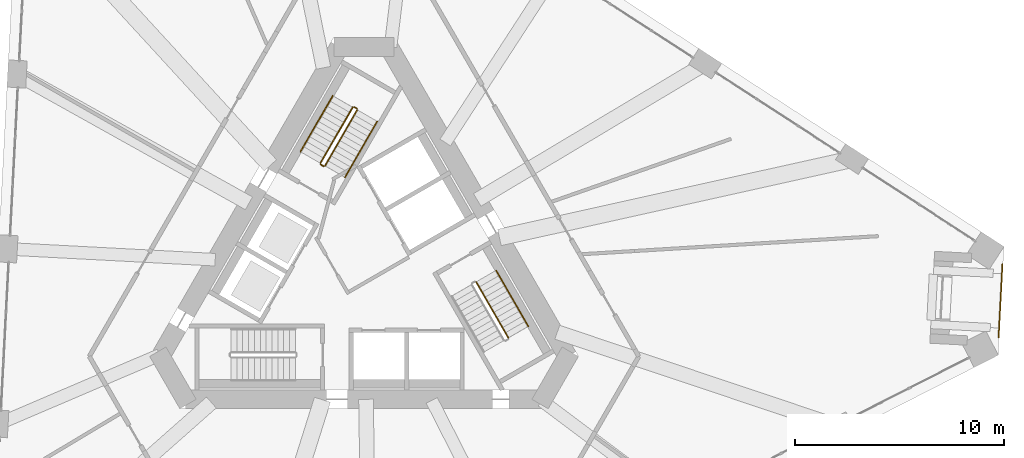
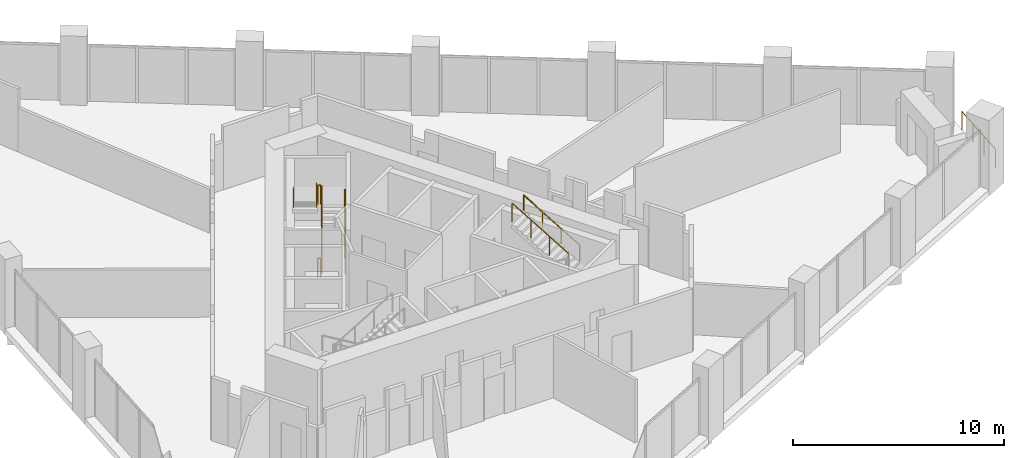
# One storey, part 16 of 18: 9 railings.
"""IFC4 building model written with IfcOpenShell, lengths in metres."""

from ifc_helpers import new_model, si_unit, direction, frame, origin, origin_2d, place, context, subcontext, project, spatial, circle, extrude, material, type_object, element, save


model = new_model("IFC4")

# Units and contexts
model_context = context("Model", 3, precision=1e-05, world=origin(), true_north=direction((0.0, 1.0)))
body_context = subcontext(model_context, "Body", "Model", "MODEL_VIEW")
ifc_project = project(units=[si_unit("LENGTHUNIT", "METRE"), si_unit("AREAUNIT", "SQUARE_METRE"), si_unit("VOLUMEUNIT", "CUBIC_METRE"), si_unit("PLANEANGLEUNIT", "RADIAN"), si_unit("MASSUNIT", "GRAM", prefix="KILO")], contexts=[model_context])

# Site, building, storey
site_placement = place(None, origin())
site = spatial("IfcSite", under=ifc_project, at=site_placement, CompositionType="ELEMENT")
building_placement = place(site_placement, origin())
building = spatial("IfcBuilding", under=site, at=building_placement, Name="Tramontana Tower", CompositionType="ELEMENT")
storey_placement = place(building_placement, frame((0.0, 0.0, 125.60009765625)))
storey = spatial("IfcBuildingStorey", under=building, at=storey_placement, Name="L28", CompositionType="ELEMENT", Elevation=125.60009765625)

# Railings
ifc_material_1 = material(Name="Laminated glass balustrade", Category="glass")
railing_type_1 = type_object("IfcRailingType", Name="GD1 Loggia glass balustrade 1100", PredefinedType="BALUSTRADE", material=ifc_material_1)
railing_1_placement = place(storey_placement, frame((30.519775390625, 0.15283203125, 0.0)))
element("IfcRailing", 1, at=railing_1_placement, inside=storey, type_object=railing_type_1, Name="Corner loggia balustrade L28 K32", PredefinedType="BALUSTRADE", context=body_context, shape_type="SweptSolid", body=[
    extrude(circle(Radius=0.02392578125, at=origin_2d()), frame((0.0, 0.0, 1.076171875), z_axis=(-0.052317189757, -0.998630518088, 0.0), x_axis=(0.998630518088, -0.052317189757, 0.0)), (0.0, 0.0, 1.0), 3.5),
    extrude(circle(Radius=0.02099609375, at=origin_2d()), origin(), (0.0, 0.0, 1.0), 1.052001953125),
    extrude(circle(Radius=0.02099609375, at=origin_2d()), frame((-0.06103515625, -1.1650390625, 0.0)), (0.0, 0.0, 1.0), 1.052001953125),
    extrude(circle(Radius=0.02099609375, at=origin_2d()), frame((-0.1220703125, -2.330078125, 0.0)), (0.0, 0.0, 1.0), 1.052001953125),
    extrude(circle(Radius=0.02099609375, at=origin_2d()), frame((-0.18310546875, -3.4951171875, 0.0)), (0.0, 0.0, 1.0), 1.052001953125),
])
ifc_material_2 = material(Name="Painted steel", Category="steel")
railing_type_2 = type_object("IfcRailingType", Name="STAIR GUARD 1100", PredefinedType="GUARDRAIL", material=ifc_material_2)
railing_2_placement = place(storey_placement, frame((-1.867431640625, 4.865478515625, 0.16650390625)))
element("IfcRailing", 2, at=railing_2_placement, inside=storey, type_object=railing_type_2, Name="L28 ST1 stair guard 1", PredefinedType="GUARDRAIL", context=body_context, shape_type="SweptSolid", body=[
    extrude(circle(Radius=0.02392578125, at=origin_2d()), frame((0.0, 0.0, 1.076171875), z_axis=(0.429634447492, 0.7441639146, 0.511502013422), x_axis=(-0.866029832698, 0.499992328818, 0.0)), (0.0, 0.0, 1.0), 3.58447265625),
    extrude(circle(Radius=0.02099609375, at=origin_2d()), origin(), (0.0, 0.0, 1.0), 1.052001953125),
    extrude(circle(Radius=0.02099609375, at=origin_2d()), frame((0.513427734375, 0.88916015625, 0.611083984375)), (0.0, 0.0, 1.0), 1.052001953125),
    extrude(circle(Radius=0.02099609375, at=origin_2d()), frame((1.026611328125, 1.7783203125, 1.222412109375)), (0.0, 0.0, 1.0), 1.052001953125),
    extrude(circle(Radius=0.02099609375, at=origin_2d()), frame((1.5400390625, 2.66748046875, 1.83349609375)), (0.0, 0.0, 1.0), 1.052001953125),
])
railing_3_placement = place(storey_placement, frame((-0.5439453125, 7.657958984375, 2.16650390625)))
element("IfcRailing", 3, at=railing_3_placement, inside=storey, type_object=railing_type_2, Name="L28 ST1 stair guard 2", PredefinedType="GUARDRAIL", context=body_context, shape_type="SweptSolid", body=[
    extrude(circle(Radius=0.02392578125, at=origin_2d()), frame((0.0, 0.0, 1.076171875), z_axis=(-0.429634447492, -0.7441639146, 0.511502013422), x_axis=(0.866029832698, -0.499992328818, 0.0)), (0.0, 0.0, 1.0), 3.58447265625),
    extrude(circle(Radius=0.02099609375, at=origin_2d()), origin(), (0.0, 0.0, 1.0), 1.052001953125),
    extrude(circle(Radius=0.02099609375, at=origin_2d()), frame((-0.513427734375, -0.88916015625, 0.611083984375)), (0.0, 0.0, 1.0), 1.052001953125),
    extrude(circle(Radius=0.02099609375, at=origin_2d()), frame((-1.026611328125, -1.7783203125, 1.222412109375)), (0.0, 0.0, 1.0), 1.052001953125),
    extrude(circle(Radius=0.02099609375, at=origin_2d()), frame((-1.5400390625, -2.66748046875, 1.83349609375)), (0.0, 0.0, 1.0), 1.052001953125),
])
railing_4_placement = place(storey_placement, frame((-0.345703125, 7.601318359375, 2.0)))
element("IfcRailing", 4, at=railing_4_placement, inside=storey, type_object=railing_type_2, Name="L28 ST1 stair guard 3", PredefinedType="GUARDRAIL", context=body_context, shape_type="SweptSolid", body=[
    extrude(circle(Radius=0.02392578125, at=origin_2d()), frame((0.0, 0.0, 1.076171875), z_axis=(-0.866131372301, 0.499816412211, 0.0), x_axis=(-0.499816412211, -0.866131372301, 0.0)), (0.0, 0.0, 1.0), 0.14990234375),
    extrude(circle(Radius=0.02099609375, at=origin_2d()), origin(), (0.0, 0.0, 1.0), 1.052001953125),
    extrude(circle(Radius=0.02099609375, at=origin_2d()), frame((-0.1298828125, 0.074951171875, 0.0)), (0.0, 0.0, 1.0), 1.052001953125),
])
railing_5_placement = place(storey_placement, frame((-1.935791015625, 4.84716796875, 0.0)))
element("IfcRailing", 5, at=railing_5_placement, inside=storey, type_object=railing_type_2, Name="L28 ST1 stair guard 4", PredefinedType="GUARDRAIL", context=body_context, shape_type="SweptSolid", body=[
    extrude(circle(Radius=0.02392578125, at=origin_2d()), frame((0.0, 0.0, 1.076171875), z_axis=(-0.865426285481, 0.501036270542, 0.0), x_axis=(-0.501036270542, -0.865426285481, 0.0)), (0.0, 0.0, 1.0), 0.150146484375),
    extrude(circle(Radius=0.02099609375, at=origin_2d()), origin(), (0.0, 0.0, 1.0), 1.052001953125),
    extrude(circle(Radius=0.02099609375, at=origin_2d()), frame((-0.1298828125, 0.0751953125, 0.0)), (0.0, 0.0, 1.0), 1.052001953125),
])
railing_6_placement = place(storey_placement, frame((6.90380859375, -3.35791015625, 2.16650390625)))
element("IfcRailing", 6, at=railing_6_placement, inside=storey, type_object=railing_type_2, Name="L28 ST3 stair guard 2", PredefinedType="GUARDRAIL", context=body_context, shape_type="SweptSolid", body=[
    extrude(circle(Radius=0.02392578125, at=origin_2d()), frame((0.0, 0.0, 1.076171875), z_axis=(-0.429600682602, 0.744155296881, 0.511542908886), x_axis=(-0.866044340336, -0.499967199496, 0.0)), (0.0, 0.0, 1.0), 3.584228515625),
    extrude(circle(Radius=0.02099609375, at=origin_2d()), origin(), (0.0, 0.0, 1.0), 1.052001953125),
    extrude(circle(Radius=0.02099609375, at=origin_2d()), frame((-0.51318359375, 0.88916015625, 0.611083984375)), (0.0, 0.0, 1.0), 1.052001953125),
    extrude(circle(Radius=0.02099609375, at=origin_2d()), frame((-1.026611328125, 1.778076171875, 1.222412109375)), (0.0, 0.0, 1.0), 1.052001953125),
    extrude(circle(Radius=0.02099609375, at=origin_2d()), frame((-1.539794921875, 2.667236328125, 1.83349609375)), (0.0, 0.0, 1.0), 1.052001953125),
])
ifc_material_3 = material(Name="Painted steel", Category="steel")
railing_type_3 = type_object("IfcRailingType", Name="STAIR HANDRAIL 900", PredefinedType="HANDRAIL", material=ifc_material_3)
railing_7_placement = place(storey_placement, frame((-0.914794921875, 4.315673828125, 0.16650390625)))
element("IfcRailing", 7, at=railing_7_placement, inside=storey, type_object=railing_type_3, Name="L28 ST1 stair handrail 1", PredefinedType="HANDRAIL", context=body_context, shape_type="SweptSolid", body=[
    extrude(circle(Radius=0.02392578125, at=origin_2d()), frame((0.0, 0.0, 0.8759765625), z_axis=(0.429656224001, 0.744133520484, 0.511527939481), x_axis=(-0.866010015463, 0.500026652407, 0.0)), (0.0, 0.0, 1.0), 3.58447265625),
    extrude(circle(Radius=0.02099609375, at=origin_2d()), origin(), (0.0, 0.0, 1.0), 0.851806640625),
    extrude(circle(Radius=0.02099609375, at=origin_2d()), frame((0.513427734375, 0.88916015625, 0.611083984375)), (0.0, 0.0, 1.0), 0.851806640625),
    extrude(circle(Radius=0.02099609375, at=origin_2d()), frame((1.026611328125, 1.778076171875, 1.222412109375)), (0.0, 0.0, 1.0), 0.851806640625),
    extrude(circle(Radius=0.02099609375, at=origin_2d()), frame((1.5400390625, 2.667236328125, 1.83349609375)), (0.0, 0.0, 1.0), 0.851806640625),
])
railing_8_placement = place(storey_placement, frame((-1.49658203125, 8.2080078125, 2.16650390625)))
element("IfcRailing", 8, at=railing_8_placement, inside=storey, type_object=railing_type_3, Name="L28 ST1 stair handrail 2", PredefinedType="HANDRAIL", context=body_context, shape_type="SweptSolid", body=[
    extrude(circle(Radius=0.02392578125, at=origin_2d()), frame((0.0, 0.0, 0.8759765625), z_axis=(-0.429634447492, -0.7441639146, 0.511502013422), x_axis=(0.866029832698, -0.499992328818, 0.0)), (0.0, 0.0, 1.0), 3.58447265625),
    extrude(circle(Radius=0.02099609375, at=origin_2d()), origin(), (0.0, 0.0, 1.0), 0.851806640625),
    extrude(circle(Radius=0.02099609375, at=origin_2d()), frame((-0.513427734375, -0.88916015625, 0.611083984375)), (0.0, 0.0, 1.0), 0.851806640625),
    extrude(circle(Radius=0.02099609375, at=origin_2d()), frame((-1.026611328125, -1.7783203125, 1.222412109375)), (0.0, 0.0, 1.0), 0.851806640625),
    extrude(circle(Radius=0.02099609375, at=origin_2d()), frame((-1.5400390625, -2.66748046875, 1.83349609375)), (0.0, 0.0, 1.0), 0.851806640625),
])
railing_9_placement = place(storey_placement, frame((7.8564453125, -2.807861328125, 2.16650390625)))
element("IfcRailing", 9, at=railing_9_placement, inside=storey, type_object=railing_type_3, Name="L28 ST3 stair handrail 2", PredefinedType="HANDRAIL", context=body_context, shape_type="SweptSolid", body=[
    extrude(circle(Radius=0.02392578125, at=origin_2d()), frame((0.0, 0.0, 0.8759765625), z_axis=(-0.429600682602, 0.744155296881, 0.511542908886), x_axis=(-0.866044340336, -0.499967199496, 0.0)), (0.0, 0.0, 1.0), 3.584228515625),
    extrude(circle(Radius=0.02099609375, at=origin_2d()), origin(), (0.0, 0.0, 1.0), 0.851806640625),
    extrude(circle(Radius=0.02099609375, at=origin_2d()), frame((-0.51318359375, 0.88916015625, 0.611083984375)), (0.0, 0.0, 1.0), 0.851806640625),
    extrude(circle(Radius=0.02099609375, at=origin_2d()), frame((-1.026611328125, 1.778076171875, 1.222412109375)), (0.0, 0.0, 1.0), 0.851806640625),
    extrude(circle(Radius=0.02099609375, at=origin_2d()), frame((-1.539794921875, 2.667236328125, 1.83349609375)), (0.0, 0.0, 1.0), 0.851806640625),
])

save(model, "model.ifc")
